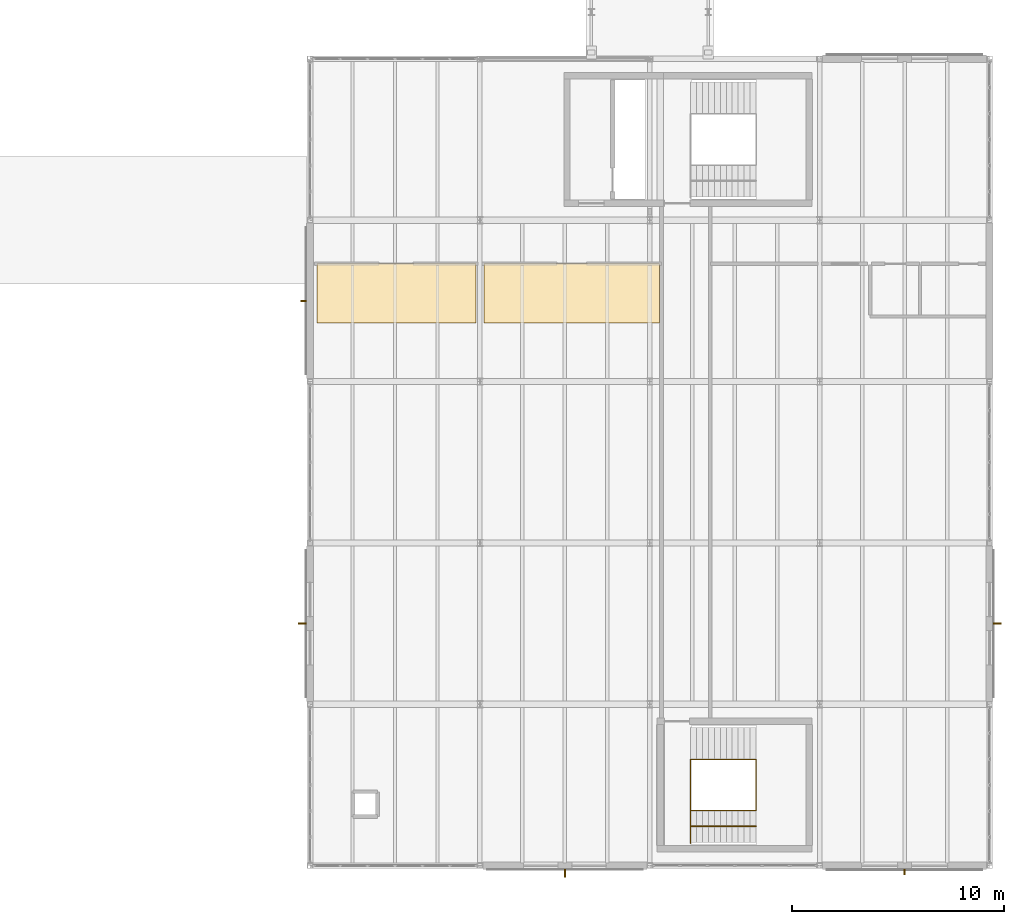
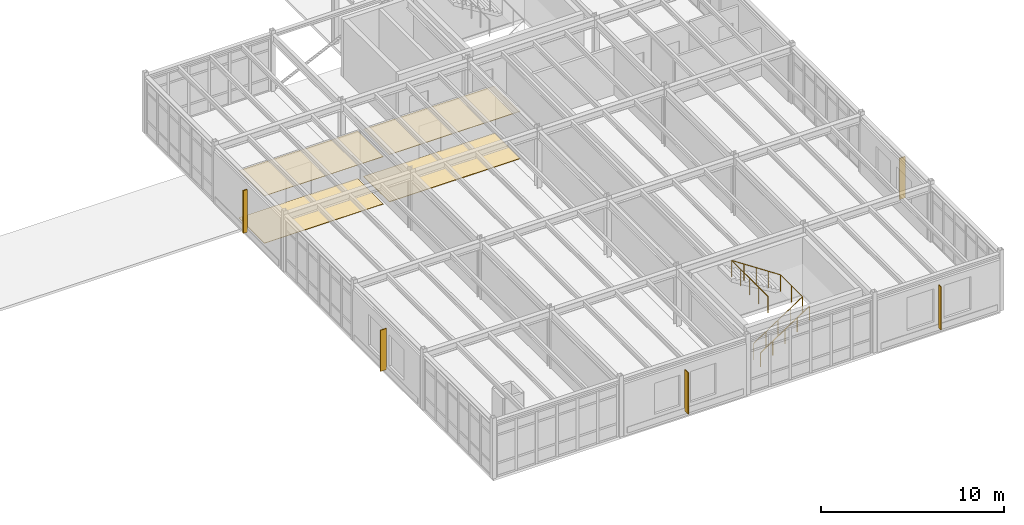
# One storey, part 186 of 189: 5 shading devices, 4 coverings, 2 railings.
"""IFC4 building model written with IfcOpenShell, lengths in metres."""

from ifc_helpers import new_model, si_unit, direction, frame, origin, origin_2d, place, context, subcontext, project, spatial, polyline, rectangle, circle, outline, extrude, material, layer, layer_set, type_object, element, save


model = new_model("IFC4")

# Units and contexts
model_context = context("Model", 3, precision=1e-05, world=origin(), true_north=direction((0.0, 1.0)))
body_context = subcontext(model_context, "Body", "Model", "MODEL_VIEW")
ifc_project = project(units=[si_unit("LENGTHUNIT", "METRE"), si_unit("AREAUNIT", "SQUARE_METRE"), si_unit("VOLUMEUNIT", "CUBIC_METRE"), si_unit("PLANEANGLEUNIT", "RADIAN"), si_unit("MASSUNIT", "GRAM", prefix="KILO")], contexts=[model_context])

# Site, building, storey
site_placement = place(None, origin())
site = spatial("IfcSite", under=ifc_project, at=site_placement, CompositionType="ELEMENT")
building_placement = place(site_placement, origin())
building = spatial("IfcBuilding", under=site, at=building_placement, Name="Montecoro Central Library", CompositionType="ELEMENT")
storey_placement = place(building_placement, frame((0.0, 0.0, 9.179931640625)))
storey = spatial("IfcBuildingStorey", under=building, at=storey_placement, Name="L02", CompositionType="ELEMENT", Elevation=9.179931640625)

# Coverings
ifc_material_1 = material(Name="Acoustic perforated mineral ceiling")
ifc_layer_1 = layer(ifc_material_1, 0.02490234375)
ifc_layer_set_1 = layer_set([ifc_layer_1], Name="Acoustic perforated mineral ceiling")
covering_type_1 = type_object("IfcCoveringType", Name="COV-CLG-01", PredefinedType="CEILING", material=ifc_layer_set_1)
covering_1_placement = place(storey_placement, frame((0.0, 0.0, 3.155029296875)))
element("IfcCovering", 1, at=covering_1_placement, inside=storey, type_object=covering_type_1, Name="CLG-SP-V6-L02-R1P1", PredefinedType="CEILING", context=body_context, shape_type="SweptSolid", body=[
    extrude(outline(polyline([(141.320068359375, 30.550048828125), (148.81005859375, 30.550048828125), (148.81005859375, 33.35009765625), (141.320068359375, 33.35009765625), (141.320068359375, 30.550048828125)])), origin(), (0.0, 0.0, 1.0), 0.025146484375),
])
ifc_layer_2 = layer(ifc_material_1, 0.031982421875)
ifc_layer_set_2 = layer_set([ifc_layer_2], Name="Acoustic perforated mineral ceiling")
covering_type_2 = type_object("IfcCoveringType", Name="COV-CLG-02", PredefinedType="CEILING", material=ifc_layer_set_2)
covering_2_placement = place(storey_placement, frame((0.0, 0.0, 3.14794921875)))
element("IfcCovering", 2, at=covering_2_placement, inside=storey, type_object=covering_type_2, Name="CLG-SP-V6-L02-R2P1", PredefinedType="CEILING", context=body_context, shape_type="SweptSolid", body=[
    extrude(outline(polyline([(149.18994140625, 30.550048828125), (157.449951171875, 30.550048828125), (157.449951171875, 33.35009765625), (149.18994140625, 33.35009765625), (149.18994140625, 30.550048828125)])), origin(), (0.0, 0.0, 1.0), 0.0322265625),
])
ifc_material_2 = material(Name="Neapolitan brass-inlaid terrazzo flooring")
ifc_layer_3 = layer(ifc_material_2, 0.028076171875)
ifc_layer_set_3 = layer_set([ifc_layer_3], Name="Neapolitan brass-inlaid terrazzo flooring")
covering_type_3 = type_object("IfcCoveringType", Name="COV-FLR-01", PredefinedType="FLOORING", material=ifc_layer_set_3)
covering_3_placement = place(storey_placement, origin())
element("IfcCovering", 3, at=covering_3_placement, inside=storey, type_object=covering_type_3, Name="FLR-SP-V6-L02-R1P1", PredefinedType="FLOORING", context=body_context, shape_type="SweptSolid", body=[
    extrude(outline(polyline([(141.320068359375, 30.550048828125), (148.81005859375, 30.550048828125), (148.81005859375, 33.35009765625), (141.320068359375, 33.35009765625), (141.320068359375, 30.550048828125)])), origin(), (0.0, 0.0, 1.0), 0.028076171875),
])
ifc_layer_4 = layer(ifc_material_2, 0.035888671875)
ifc_layer_set_4 = layer_set([ifc_layer_4], Name="Neapolitan brass-inlaid terrazzo flooring")
covering_type_4 = type_object("IfcCoveringType", Name="COV-FLR-02", PredefinedType="FLOORING", material=ifc_layer_set_4)
covering_4_placement = place(storey_placement, origin())
element("IfcCovering", 4, at=covering_4_placement, inside=storey, type_object=covering_type_4, Name="FLR-SP-V6-L02-R2P1", PredefinedType="FLOORING", context=body_context, shape_type="SweptSolid", body=[
    extrude(outline(polyline([(149.18994140625, 30.550048828125), (157.449951171875, 30.550048828125), (157.449951171875, 33.35009765625), (149.18994140625, 33.35009765625), (149.18994140625, 30.550048828125)])), origin(), (0.0, 0.0, 1.0), 0.0361328125),
])

# Railings
ifc_material_3 = material(Name="Brushed stainless steel and bronze balustrade", Category="steel")
railing_type_1 = type_object("IfcRailingType", Name="GRD-INT-110", PredefinedType="GUARDRAIL", material=ifc_material_3)
railing_1_placement = place(storey_placement, frame((158.919921875, 7.60009765625, 0.0)))
element("IfcRailing", 5, at=railing_1_placement, inside=storey, type_object=railing_type_1, Name="C10-L02-STR-GRD", PredefinedType="GUARDRAIL", context=body_context, shape_type="SweptSolid", body=[
    extrude(circle(Radius=0.02392578125, at=origin_2d()), frame((0.0, 0.0, 1.09619140625), z_axis=(0.833713881912, 0.0, 0.552196670677), x_axis=(0.0, 1.0, 0.0)), (0.0, 0.0, 1.0), 3.6943359375),
    extrude(circle(Radius=0.02392578125, at=origin_2d()), frame((3.080078125, 0.0, 3.13623046875), z_axis=(0.0, 1.0, 0.0), x_axis=(-1.0, 0.0, 0.0)), (0.0, 0.0, 1.0), 2.39990234375),
    extrude(circle(Radius=0.02392578125, at=origin_2d()), frame((3.080078125, 2.39990234375, 3.13623046875), z_axis=(-0.833713881912, 0.0, 0.552196670677), x_axis=(0.0, -1.0, 0.0)), (0.0, 0.0, 1.0), 3.6943359375),
    extrude(circle(Radius=0.02392578125, at=origin_2d()), frame((0.0, 2.39990234375, 5.17626953125), z_axis=(0.0, -1.0, 0.0), x_axis=(1.0, 0.0, 0.0)), (0.0, 0.0, 1.0), 3.949951171875),
    extrude(circle(Radius=0.02099609375, at=origin_2d()), origin(), (0.0, 0.0, 1.0), 1.072021484375),
    extrude(circle(Radius=0.02099609375, at=origin_2d()), frame((0.77001953125, 0.0, 0.510009765625)), (0.0, 0.0, 1.0), 1.072021484375),
    extrude(circle(Radius=0.02099609375, at=origin_2d()), frame((1.5400390625, 0.0, 1.02001953125)), (0.0, 0.0, 1.0), 1.072021484375),
    extrude(circle(Radius=0.02099609375, at=origin_2d()), frame((2.31005859375, 0.0, 1.530029296875)), (0.0, 0.0, 1.0), 1.072021484375),
    extrude(circle(Radius=0.02099609375, at=origin_2d()), frame((3.080078125, 0.0, 2.0400390625)), (0.0, 0.0, 1.0), 1.072021484375),
    extrude(circle(Radius=0.02099609375, at=origin_2d()), frame((3.080078125, 1.199951171875, 2.0400390625)), (0.0, 0.0, 1.0), 1.072021484375),
    extrude(circle(Radius=0.02099609375, at=origin_2d()), frame((3.080078125, 2.39990234375, 2.0400390625)), (0.0, 0.0, 1.0), 1.072021484375),
    extrude(circle(Radius=0.02099609375, at=origin_2d()), frame((2.31005859375, 2.39990234375, 2.550048828125)), (0.0, 0.0, 1.0), 1.072021484375),
    extrude(circle(Radius=0.02099609375, at=origin_2d()), frame((1.5400390625, 2.39990234375, 3.06005859375)), (0.0, 0.0, 1.0), 1.072021484375),
    extrude(circle(Radius=0.02099609375, at=origin_2d()), frame((0.77001953125, 2.39990234375, 3.570068359375)), (0.0, 0.0, 1.0), 1.072021484375),
    extrude(circle(Radius=0.02099609375, at=origin_2d()), frame((0.0, 2.39990234375, 4.080078125)), (0.0, 0.0, 1.0), 1.072021484375),
    extrude(circle(Radius=0.02099609375, at=origin_2d()), frame((0.0, 1.412353515625, 4.080078125)), (0.0, 0.0, 1.0), 1.072021484375),
    extrude(circle(Radius=0.02099609375, at=origin_2d()), frame((0.0, 0.4248046875, 4.080078125)), (0.0, 0.0, 1.0), 1.072021484375),
    extrude(circle(Radius=0.02099609375, at=origin_2d()), frame((0.0, -0.5625, 4.080078125)), (0.0, 0.0, 1.0), 1.072021484375),
    extrude(circle(Radius=0.02099609375, at=origin_2d()), frame((0.0, -1.550048828125, 4.080078125)), (0.0, 0.0, 1.0), 1.072021484375),
])
ifc_material_4 = material(Name="Brushed architectural bronze handrail")
railing_type_2 = type_object("IfcRailingType", Name="HRL-STR-095", PredefinedType="HANDRAIL", material=ifc_material_4)
railing_2_placement = place(storey_placement, frame((158.919921875, 6.85009765625, 0.0)))
element("IfcRailing", 6, at=railing_2_placement, inside=storey, type_object=railing_type_2, Name="C10-L02-STR-HR1", PredefinedType="HANDRAIL", context=body_context, shape_type="SweptSolid", body=[
    extrude(circle(Radius=0.02392578125, at=origin_2d()), frame((0.0, 0.0, 0.92578125), z_axis=(0.833713881912, 0.0, 0.552196670677), x_axis=(0.0, 1.0, 0.0)), (0.0, 0.0, 1.0), 3.6943359375),
    extrude(circle(Radius=0.02099609375, at=origin_2d()), origin(), (0.0, 0.0, 1.0), 0.90185546875),
    extrude(circle(Radius=0.02099609375, at=origin_2d()), frame((0.77001953125, 0.0, 0.510009765625)), (0.0, 0.0, 1.0), 0.90185546875),
    extrude(circle(Radius=0.02099609375, at=origin_2d()), frame((1.5400390625, 0.0, 1.02001953125)), (0.0, 0.0, 1.0), 0.90185546875),
    extrude(circle(Radius=0.02099609375, at=origin_2d()), frame((2.31005859375, 0.0, 1.530029296875)), (0.0, 0.0, 1.0), 0.90185546875),
    extrude(circle(Radius=0.02099609375, at=origin_2d()), frame((3.080078125, 0.0, 2.0400390625)), (0.0, 0.0, 1.0), 0.90185546875),
])

# Shading devices
ifc_material_5 = material(Name="Architectural bronze solar fin", Category="aluminium")
shading_device_type_1 = type_object("IfcShadingDeviceType", Name="SHD-FIN-11", PredefinedType="USERDEFINED", material=ifc_material_5)
for number, where, z_axis, x_axis, name in (
    (7, (153.0, 4.639404296875, 0.364990234375), (0.0, 0.0, 1.0), (1.0, 0.0, 0.0), "V6-L02-FIN-S1"),
    (8, (173.360595703125, 16.39990234375, 0.364990234375), (0.0, 0.0, 1.0), (0.0, 1.0, 0.0), "V6-L02-FIN-E1"),
    (9, (140.639404296875, 16.39990234375, 0.364990234375), (0.0, 0.0, 1.0), (0.0, -1.0, 0.0), "V6-L02-FIN-W1"),
):
    element("IfcShadingDevice", number, at=place(storey_placement, frame(where, z_axis=z_axis, x_axis=x_axis)), inside=storey, type_object=shading_device_type_1, Name=name, ObjectType="SOLAR FIN", PredefinedType="USERDEFINED", context=body_context, shape_type="SweptSolid", body=[
        extrude(rectangle(XDim=0.06005859375, YDim=0.3798828125, at=origin_2d()), origin(), (0.0, 0.0, 1.0), 2.75),
    ])
shading_device_type_2 = type_object("IfcShadingDeviceType", Name="SHD-FIN-13", PredefinedType="USERDEFINED", material=ifc_material_5)
for number, where, z_axis, x_axis, name in (
    (10, (169.0, 4.699462890625, 0.31494140625), (0.0, 0.0, 1.0), (1.0, 0.0, 0.0), "V6-L02-FIN-S3"),
    (11, (140.699462890625, 31.60009765625, 0.31494140625), (0.0, 0.0, 1.0), (0.0, -1.0, 0.0), "V6-L02-FIN-W3"),
):
    element("IfcShadingDevice", number, at=place(storey_placement, frame(where, z_axis=z_axis, x_axis=x_axis)), inside=storey, type_object=shading_device_type_2, Name=name, ObjectType="SOLAR FIN", PredefinedType="USERDEFINED", context=body_context, shape_type="SweptSolid", body=[
        extrude(rectangle(XDim=0.06005859375, YDim=0.260009765625, at=origin_2d()), origin(), (0.0, 0.0, 1.0), 2.85009765625),
    ])

save(model, "model.ifc")
